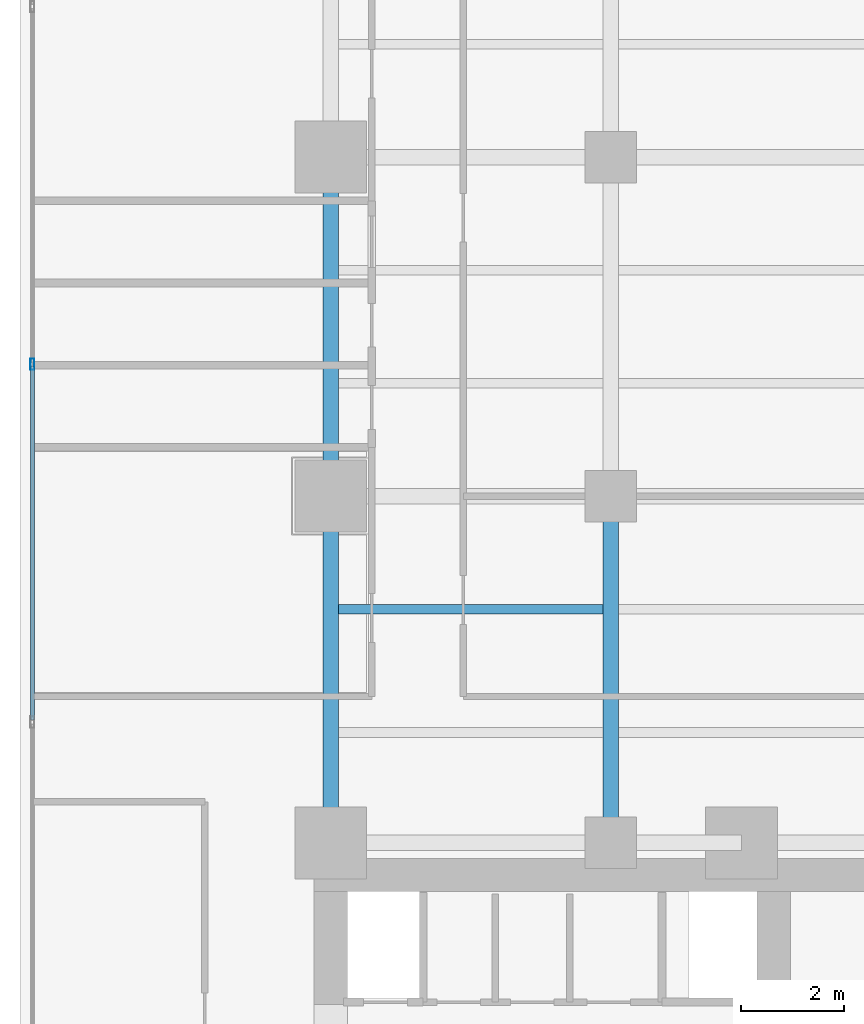
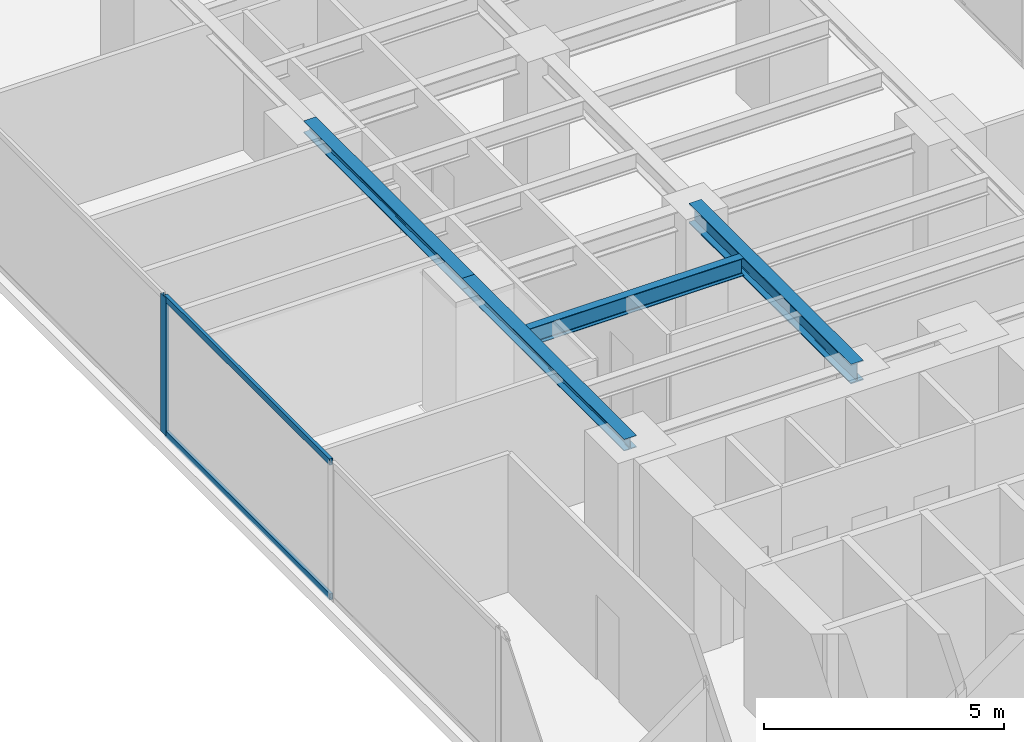
# One storey, part 7 of 25: 4 beams, 3 members, 1 element without a shape of its own.
"""IFC4 building model written with IfcOpenShell, lengths in metres."""

from ifc_helpers import new_model, si_unit, direction, frame, origin, origin_with_axes, origin_2d, place, context, subcontext, project, spatial, hollow_rectangle, i_section, extrude, source, transform, mapped, material, layer, layer_set, material_profile, profile_set, type_object, element, aggregate, save


model = new_model("IFC4")

# Units and contexts
model_context = context("Model", 3, precision=1e-05, world=origin(), true_north=direction((0.0, 1.0)))
body_context = subcontext(model_context, "Body", "Model", "MODEL_VIEW")
ifc_project = project(units=[si_unit("LENGTHUNIT", "METRE"), si_unit("AREAUNIT", "SQUARE_METRE"), si_unit("VOLUMEUNIT", "CUBIC_METRE"), si_unit("PLANEANGLEUNIT", "RADIAN"), si_unit("MASSUNIT", "GRAM", prefix="KILO")], contexts=[model_context])

# Site, building, storey
site_placement = place(None, origin())
site = spatial("IfcSite", under=ifc_project, at=site_placement, CompositionType="ELEMENT")
building_placement = place(site_placement, origin())
building = spatial("IfcBuilding", under=site, at=building_placement, Name="Kolvaren Waterfront Exchange", CompositionType="ELEMENT")
storey_placement = place(building_placement, frame((0.0, 0.0, 106.89990234375)))
storey = spatial("IfcBuildingStorey", under=building, at=storey_placement, Name="L27", CompositionType="ELEMENT", Elevation=106.89990234375)

# Beams
ifc_material_1 = material(Name="Steel S355", Category="steel")
ifc_material_profile_1 = material_profile(ifc_material_1, i_section(OverallWidth=0.300048828125, OverallDepth=0.300048828125, WebThickness=0.010986328125, FlangeThickness=0.01904296875, FilletRadius=0.027099609375, at=origin_2d()), Name="HEB300")
ifc_profile_set_1 = profile_set([ifc_material_profile_1], Name="Steel S355")
beam_type_1 = type_object("IfcBeamType", Name="STR-BM-HEB300", PredefinedType="SPANDREL", material=ifc_profile_set_1)
beam_1_placement = place(storey_placement, frame((7.449951171875, 24.449951171875, 3.35009765625), z_axis=(0.0, 1.0, 0.0), x_axis=(-1.0, 0.0, 0.0)))
element("IfcBeam", 1, at=beam_1_placement, inside=storey, type_object=beam_type_1, Name="L27 north-arm edge beam 1", PredefinedType="SPANDREL", context=body_context, shape_type="SweptSolid", body=[
    extrude(i_section(OverallWidth=0.300048828125, OverallDepth=0.300048828125, WebThickness=0.010986328125, FlangeThickness=0.01904296875, FilletRadius=0.027099609375, at=origin_2d()), origin(), (0.0, 0.0, 1.0), 6.75),
])
beam_2_placement = place(storey_placement, frame((7.449951171875, 31.199951171875, 3.35009765625), z_axis=(0.0, 1.0, 0.0), x_axis=(-1.0, 0.0, 0.0)))
element("IfcBeam", 2, at=beam_2_placement, inside=storey, type_object=beam_type_1, Name="L27 north-arm edge beam 2", PredefinedType="SPANDREL", context=body_context, shape_type="SweptSolid", body=[
    extrude(i_section(OverallWidth=0.300048828125, OverallDepth=0.300048828125, WebThickness=0.010986328125, FlangeThickness=0.01904296875, FilletRadius=0.027099609375, at=origin_2d()), origin(), (0.0, 0.0, 1.0), 6.60009765625),
])
ifc_material_profile_2 = material_profile(ifc_material_1, i_section(OverallWidth=0.300048828125, OverallDepth=0.5, WebThickness=0.014404296875, FlangeThickness=0.028076171875, FilletRadius=0.027099609375, at=origin_2d()), Name="HEB500")
ifc_profile_set_2 = profile_set([ifc_material_profile_2], Name="Steel S355")
beam_type_2 = type_object("IfcBeamType", Name="STR-BM-HEB500", PredefinedType="BEAM", material=ifc_profile_set_2)
beam_3_placement = place(storey_placement, frame((12.89990234375, 24.449951171875, 3.25), z_axis=(0.0, 1.0, 0.0), x_axis=(-1.0, 0.0, 0.0)))
element("IfcBeam", 3, at=beam_3_placement, inside=storey, type_object=beam_type_2, Name="L27 north-arm edge beam 1", PredefinedType="BEAM", context=body_context, shape_type="SweptSolid", body=[
    extrude(i_section(OverallWidth=0.300048828125, OverallDepth=0.5, WebThickness=0.014404296875, FlangeThickness=0.028076171875, FilletRadius=0.027099609375, at=origin_2d()), origin(), (0.0, 0.0, 1.0), 6.75),
])
ifc_material_profile_3 = material_profile(ifc_material_1, i_section(OverallWidth=0.18994140625, OverallDepth=0.449951171875, WebThickness=0.009521484375, FlangeThickness=0.0146484375, FilletRadius=0.02099609375, at=origin_2d()), Name="IPE450")
ifc_profile_set_3 = profile_set([ifc_material_profile_3], Name="Steel S355")
beam_type_3 = type_object("IfcBeamType", Name="STR-BM-IPE450", PredefinedType="JOIST", material=ifc_profile_set_3)
beam_4_placement = place(storey_placement, frame((7.60205078125, 29.0, 3.275146484375), z_axis=(1.0, 0.0, 0.0), x_axis=(0.0, 1.0, 0.0)))
element("IfcBeam", 4, at=beam_4_placement, inside=storey, type_object=beam_type_3, Name="L27 north-arm composite joist 2A", PredefinedType="JOIST", context=body_context, shape_type="SweptSolid", body=[
    extrude(i_section(OverallWidth=0.18994140625, OverallDepth=0.449951171875, WebThickness=0.009521484375, FlangeThickness=0.0146484375, FilletRadius=0.02099609375, at=origin_2d()), origin(), (0.0, 0.0, 1.0), 5.14599609375),
])

# Curtain wall, members
ifc_material_2 = material(Name="Anodised aluminium 6063-T6", Category="aluminium")
ifc_layer = layer(ifc_material_2, 0.219970703125, Name="Anodised aluminium 6063-T6")
ifc_layer_set = layer_set([ifc_layer], Name="Anodised aluminium 6063-T6")
curtain_wall_type = type_object("IfcCurtainWallType", Name="ARC-CW-SYS2", PredefinedType="USERDEFINED", material=ifc_layer_set)
curtain_wall_placement = place(storey_placement, origin())
curtain_wall = element("IfcCurtainWall", 5, at=curtain_wall_placement, inside=storey, type_object=curtain_wall_type, Name="L27 stick curtain wall CW2 (CW-L27-W)", ObjectType="STICK CURTAIN WALL", PredefinedType="USERDEFINED")
ifc_material_profile_4 = material_profile(ifc_material_2, hollow_rectangle(XDim=0.074951171875, YDim=0.159912109375, WallThickness=0.00439453125, at=origin_2d()), Name="ALU-TRN-160x75x4.5")
ifc_profile_set_4 = profile_set([ifc_material_profile_4], Name="Anodised aluminium 6063-T6")
member_type_1 = type_object("IfcMemberType", Name="ARC-CWT-160", PredefinedType="USERDEFINED", material=ifc_profile_set_4)
shared_shape_1 = source(origin_with_axes(), body_context, "Body", "SweptSolid", [
    extrude(hollow_rectangle(XDim=0.074951171875, YDim=0.159912109375, WallThickness=0.00439453125, at=origin_2d()), origin(), (0.0, 0.0, 1.0), 6.886474609375),
])
member_1_placement = place(storey_placement, frame((1.639892578125, 26.840087890625, 0.03759765625), z_axis=(0.0, 1.0, 0.0), x_axis=(-1.0, 0.0, 0.0)))
member_1 = element("IfcMember", 6, at=member_1_placement, type_object=member_type_1, Name="CW2 transom 4.1", ObjectType="TRANSOM", PredefinedType="USERDEFINED", context=body_context, shape_type="MappedRepresentation", body=[
    mapped(shared_shape_1, transform((0.0, 0.0, 0.0), x_axis=(1.0, 0.0, 0.0), y_axis=(0.0, 1.0, 0.0), z_axis=(0.0, 0.0, 1.0), scale=1.0)),
])
member_2_placement = place(storey_placement, frame((1.639892578125, 26.840087890625, 3.462646484375), z_axis=(0.0, 1.0, 0.0), x_axis=(-1.0, 0.0, 0.0)))
member_2 = element("IfcMember", 7, at=member_2_placement, type_object=member_type_1, Name="CW2 transom 4.2", ObjectType="TRANSOM", PredefinedType="USERDEFINED", context=body_context, shape_type="MappedRepresentation", body=[
    mapped(shared_shape_1, transform((0.0, 0.0, 0.0), x_axis=(1.0, 0.0, 0.0), y_axis=(0.0, 1.0, 0.0), z_axis=(0.0, 0.0, 1.0), scale=1.0)),
])
ifc_material_profile_5 = material_profile(ifc_material_2, hollow_rectangle(XDim=0.080078125, YDim=0.219970703125, WallThickness=0.0048828125, at=origin_2d()), Name="ALU-MUL-220x80x5")
ifc_profile_set_5 = profile_set([ifc_material_profile_5], Name="Anodised aluminium 6063-T6")
member_type_2 = type_object("IfcMemberType", Name="ARC-CWM-220", PredefinedType="MULLION", material=ifc_profile_set_5)
shared_shape_2 = source(origin_with_axes(), body_context, "Body", "SweptSolid", [
    extrude(hollow_rectangle(XDim=0.080078125, YDim=0.219970703125, WallThickness=0.0048828125, at=origin_2d()), origin(), (0.0, 0.0, 1.0), 3.5),
])
member_3_placement = place(storey_placement, frame((1.639892578125, 33.7666015625, 0.0), z_axis=(0.0, 0.0, 1.0), x_axis=(-1.0, 0.0, 0.0)))
member_3 = element("IfcMember", 8, at=member_3_placement, type_object=member_type_2, Name="CW2 mullion 5", PredefinedType="MULLION", context=body_context, shape_type="MappedRepresentation", body=[
    mapped(shared_shape_2, transform((0.0, 0.0, 0.0), x_axis=(1.0, 0.0, 0.0), y_axis=(0.0, 1.0, 0.0), z_axis=(0.0, 0.0, 1.0), scale=1.0)),
])
aggregate(curtain_wall, [member_3, member_1, member_2])

save(model, "model.ifc")
